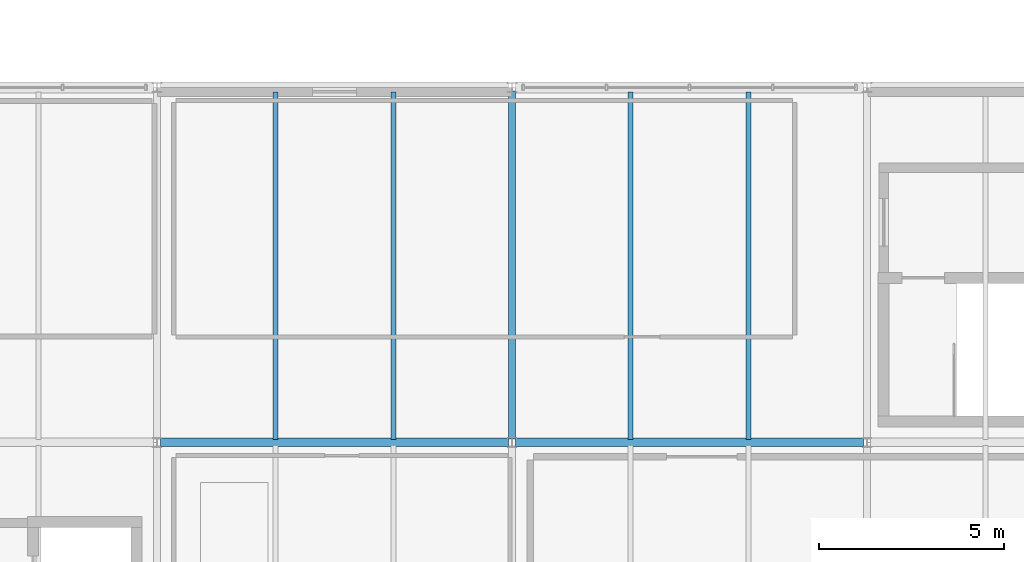
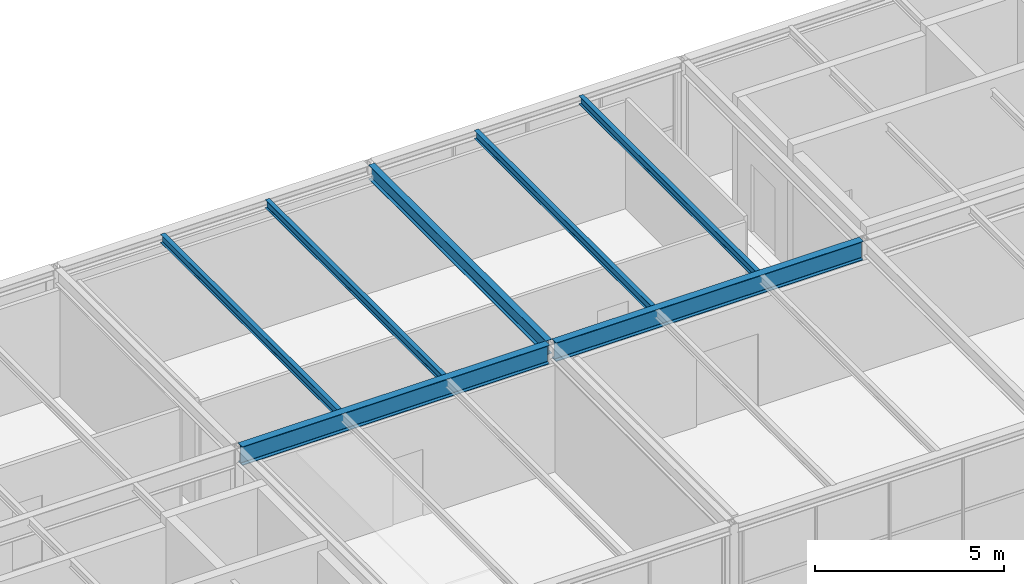
# One storey, part 21 of 33: 7 beams.
"""IFC4 building model written with IfcOpenShell, lengths in metres."""

import ifcopenshell
import ifcopenshell.guid

model = None  # the IFC model being written
_history = None  # IfcOwnerHistory: only IFC2X3 demands one
_inside = {}  # id of a spatial element -> (the spatial element, [elements in it])
_under = {}  # id of a project, library or spatial element -> (it, [spatial elements below it])
_declared = {}  # id of a project -> (the project, [libraries it declares])
_typed = {}  # id of a type object -> (the type object, [elements of that type])
_made_of = {}  # id of a material, layer set ... -> (it, [elements and type objects made of it])


def new_model(schema):
    """Start an empty IFC model of exactly this schema.

    Asked for "IFC4X3", IfcOpenShell would pick the latest addendum, in which some entities
    have other attributes; the version numbers below select the first issue.
    IFC2X3 requires an IfcOwnerHistory on every rooted entity: one is made here for all.
    """
    global model, _history
    if schema == "IFC4X3":
        model = ifcopenshell.file(schema_version=(4, 3, 0, 0))
    else:
        model = ifcopenshell.file(schema=schema)
    _inside.clear()
    _under.clear()
    _declared.clear()
    _typed.clear()
    _made_of.clear()
    _history = None
    if model.schema == "IFC2X3":
        org = make("IfcOrganization", Name="unknown")
        user = make(
            "IfcPersonAndOrganization",
            ThePerson=make("IfcPerson", FamilyName="unknown"),
            TheOrganization=org,
        )
        app = make(
            "IfcApplication",
            ApplicationDeveloper=org,
            Version="unknown",
            ApplicationFullName="unknown",
            ApplicationIdentifier="unknown",
        )
        _history = make(
            "IfcOwnerHistory",
            OwningUser=user,
            OwningApplication=app,
            ChangeAction="ADDED",
            CreationDate=0,
        )
    return model


def make(cls, **values):
    """One entity of the class cls with the attributes given. An attribute that is None is left unset."""
    return model.create_entity(
        cls, **{name: value for name, value in values.items() if value is not None}
    )


def rooted(cls, **values):
    """An entity with a GlobalId (a new one), such as an element, a storey or a relation."""
    return make(cls, GlobalId=ifcopenshell.guid.new(), OwnerHistory=_history, **values)


def si_unit(unit_type, name, prefix=None):
    """IfcSIUnit, for example si_unit("LENGTHUNIT", "METRE", prefix="MILLI")."""
    return make("IfcSIUnit", UnitType=unit_type, Prefix=prefix, Name=name)


def assignment(units):
    """IfcUnitAssignment: the units of a project."""
    return None if units is None else make("IfcUnitAssignment", Units=units)


def point(xyz):
    """IfcCartesianPoint."""
    return None if xyz is None else make("IfcCartesianPoint", Coordinates=xyz)


def direction(xyz):
    """IfcDirection."""
    return None if xyz is None else make("IfcDirection", DirectionRatios=xyz)


def frame(location, z_axis=None, x_axis=None):
    """IfcAxis2Placement3D, a coordinate frame: its origin and axes. An axis left out is left unset."""
    return make(
        "IfcAxis2Placement3D",
        Location=point(location),
        Axis=direction(z_axis),
        RefDirection=direction(x_axis),
    )


def frame_2d(location, x_axis=None):
    """IfcAxis2Placement2D, a coordinate frame in the plane: its origin and x axis."""
    return make(
        "IfcAxis2Placement2D", Location=point(location), RefDirection=direction(x_axis)
    )


def origin():
    """The frame at (0, 0, 0) with its axes left unset."""
    return frame((0.0, 0.0, 0.0))


def origin_2d():
    """The frame at (0, 0) in the plane with its x axis left unset."""
    return frame_2d((0.0, 0.0))


def place(relative_to, where):
    """IfcLocalPlacement: puts the frame where relative to a parent placement (None: the world)."""
    return make(
        "IfcLocalPlacement", PlacementRelTo=relative_to, RelativePlacement=where
    )


def context(
    kind, dimensions, precision=None, world=None, true_north=None, identifier=None
):
    """IfcGeometricRepresentationContext, for example the 3D "Model" context."""
    return make(
        "IfcGeometricRepresentationContext",
        ContextIdentifier=identifier,
        ContextType=kind,
        CoordinateSpaceDimension=dimensions,
        Precision=precision,
        WorldCoordinateSystem=world,
        TrueNorth=true_north,
    )


def subcontext(parent, identifier, kind, view, scale=None):
    """IfcGeometricRepresentationSubContext, for example "Body" below "Model"."""
    return make(
        "IfcGeometricRepresentationSubContext",
        ContextIdentifier=identifier,
        ContextType=kind,
        ParentContext=parent,
        TargetScale=scale,
        TargetView=view,
    )


def project(units=None, contexts=None):
    """IfcProject with its units and contexts."""
    return rooted(
        "IfcProject",
        Name="project",
        RepresentationContexts=contexts,
        UnitsInContext=assignment(units),
    )


def spatial(cls, under=None, at=None, **own):
    """A site, building, storey or space (cls), placed at a placement, below another one or the project."""
    s = rooted(cls, ObjectPlacement=at, **own)
    if under is not None:
        _under.setdefault(under.id(), (under, []))[1].append(s)
    return s


def profile(cls, at=None, kind="AREA", **sizes):
    """A parametric profile (cls). Its sizes go by their IFC names, for example OverallWidth=200.0."""
    return make(cls, ProfileType=kind, Position=at, **sizes)


def i_section(**sizes):
    """IfcIShapeProfileDef."""
    return profile("IfcIShapeProfileDef", **sizes)


def extrude(swept, where, along, depth):
    """IfcExtrudedAreaSolid: the profile swept, set in the frame where, extruded along a direction by depth."""
    return make(
        "IfcExtrudedAreaSolid",
        SweptArea=swept,
        Position=where,
        ExtrudedDirection=direction(along),
        Depth=depth,
    )


def shape(context_of_items, identifier, shape_type, items):
    """IfcShapeRepresentation: the items that make up one representation, for example the "Body"."""
    return make(
        "IfcShapeRepresentation",
        ContextOfItems=context_of_items,
        RepresentationIdentifier=identifier,
        RepresentationType=shape_type,
        Items=items,
    )


def material(Name=None, Category=None):
    """IfcMaterial."""
    return make("IfcMaterial", Name=Name, Category=Category)


def material_profile(
    of_material, cross_section, Name=None, Category=None, Priority=None
):
    """IfcMaterialProfile: a cross section and its material."""
    return make(
        "IfcMaterialProfile",
        Name=Name,
        Material=of_material,
        Profile=cross_section,
        Priority=Priority,
        Category=Category,
    )


def profile_set(profiles, Name=None, composite=None):
    """IfcMaterialProfileSet."""
    return make(
        "IfcMaterialProfileSet",
        Name=Name,
        MaterialProfiles=profiles,
        CompositeProfile=composite,
    )


def made_of(thing, what):
    """Note that an element or type object is made of a material, layer set ...; save() writes the relation."""
    if what is not None:
        _made_of.setdefault(what.id(), (what, []))[1].append(thing)
    return thing


def type_object(cls, material=None, **own):
    """A type object (cls), such as IfcWallType, which elements share."""
    return made_of(rooted(cls, **own), material)


def element(
    cls,
    number,
    at=None,
    inside=None,
    cuts=None,
    type_object=None,
    material=None,
    context=None,
    identifier="Body",
    shape_type=None,
    held_by="IfcProductDefinitionShape",
    body=None,
    shapes=None,
    **own,
):
    """One element of the class cls, such as IfcWall. Its Tag is "e" and its number.

    at: its placement. inside: the storey or other place that contains it. cuts: it is an
    opening in that element (IfcRelVoidsElement). A single representation is given by context,
    identifier, shape_type and body (its items); several are given by shapes. held_by: the class
    of the entity that holds the representations. save() writes the other relations.
    """
    e = rooted(cls, Tag="e%d" % number, ObjectPlacement=at, **own)
    if body is not None:
        shapes = [shape(context, identifier, shape_type, body)]
    if shapes is not None:
        e.Representation = make(held_by, Representations=shapes)
    if inside is not None:
        _inside.setdefault(inside.id(), (inside, []))[1].append(e)
    if cuts is not None:
        rooted(
            "IfcRelVoidsElement", RelatingBuildingElement=cuts, RelatedOpeningElement=e
        )
    if type_object is not None:
        _typed.setdefault(type_object.id(), (type_object, []))[1].append(e)
    return made_of(e, material)


def aggregate(whole, parts):
    """IfcRelAggregates: a whole, such as a stair, and the parts it consists of."""
    return rooted("IfcRelAggregates", RelatingObject=whole, RelatedObjects=parts)


def save(model, path):
    """Write the relations noted so far, then the file.

    IfcRelAggregates (storeys below a building ...), IfcRelContainedInSpatialStructure (elements
    in a storey), IfcRelDefinesByType, IfcRelAssociatesMaterial and IfcRelDeclares: one each for
    every whole, place, type object, material and project.
    """
    for whole, parts in _under.values():
        aggregate(whole, parts)
    for where, things in _inside.values():
        rooted(
            "IfcRelContainedInSpatialStructure",
            RelatedElements=things,
            RelatingStructure=where,
        )
    for kind, things in _typed.values():
        rooted("IfcRelDefinesByType", RelatedObjects=things, RelatingType=kind)
    for what, things in _made_of.values():
        rooted("IfcRelAssociatesMaterial", RelatedObjects=things, RelatingMaterial=what)
    for by, libraries in _declared.values():
        rooted("IfcRelDeclares", RelatingContext=by, RelatedDefinitions=libraries)
    model.write(path)


model = new_model("IFC4")

# Units and contexts
model_context = context("Model", 3, precision=1e-05, world=origin(), true_north=direction((0.0, 1.0)))
body_context = subcontext(model_context, "Body", "Model", "MODEL_VIEW")
ifc_project = project(units=[si_unit("LENGTHUNIT", "METRE"), si_unit("AREAUNIT", "SQUARE_METRE"), si_unit("VOLUMEUNIT", "CUBIC_METRE"), si_unit("PLANEANGLEUNIT", "RADIAN"), si_unit("MASSUNIT", "GRAM", prefix="KILO")], contexts=[model_context])

# Site, building, storey
site_placement = place(None, origin())
site = spatial("IfcSite", under=ifc_project, at=site_placement, CompositionType="ELEMENT")
building_placement = place(site_placement, origin())
building = spatial("IfcBuilding", under=site, at=building_placement, Name="Coralgate Yard Interchange", CompositionType="ELEMENT")
storey_placement = place(building_placement, frame((0.0, 0.0, 23.10009765625)))
storey = spatial("IfcBuildingStorey", under=building, at=storey_placement, Name="L05", CompositionType="ELEMENT", Elevation=23.10009765625)

# Beams
ifc_material = material(Name="Structural steel S355J2", Category="steel")
ifc_material_profile_1 = material_profile(ifc_material, i_section(OverallWidth=0.1904296875, OverallDepth=0.45703125, WebThickness=0.009033203125, FlangeThickness=0.014404296875, FilletRadius=0.01025390625, at=origin_2d()), Name="UB 457x191x74")
ifc_profile_set_1 = profile_set([ifc_material_profile_1], Name="Structural steel S355J2")
beam_type_1 = type_object("IfcBeamType", Name="BM-SB-2", PredefinedType="BEAM", material=ifc_profile_set_1)
beam_placement = place(storey_placement, frame((38.39990234375, 9.7001953125, 3.69140625), z_axis=(0.0, 1.0, 0.0), x_axis=(-1.0, 0.0, 0.0)))
element("IfcBeam", 1, at=beam_placement, inside=storey, type_object=beam_type_1, Name="L05 primary grid girder X4 Y1-2", PredefinedType="BEAM", context=body_context, shape_type="SweptSolid", body=[
    extrude(i_section(OverallWidth=0.1904296875, OverallDepth=0.45703125, WebThickness=0.009033203125, FlangeThickness=0.014404296875, FilletRadius=0.01025390625, at=origin_2d()), origin(), (0.0, 0.0, 1.0), 9.399658203125),
])
ifc_material_profile_2 = material_profile(ifc_material, i_section(OverallWidth=0.228271484375, OverallDepth=0.607666015625, WebThickness=0.010986328125, FlangeThickness=0.017333984375, FilletRadius=0.0126953125, at=origin_2d()), Name="UB 610x229x113")
ifc_profile_set_2 = profile_set([ifc_material_profile_2], Name="Structural steel S355J2")
beam_type_2 = type_object("IfcBeamType", Name="BM-SG-5", PredefinedType="BEAM", material=ifc_profile_set_2)
for number, where, z_axis, x_axis, name in (
    (2, (28.898193359375, 9.60009765625, 3.6162109375), (1.0, 0.0, 0.0), (0.0, 1.0, 0.0), "L05 primary grid beam Y1 X3-4"),
    (3, (38.498046875, 9.60009765625, 3.6162109375), (1.0, 0.0, 0.0), (0.0, 1.0, 0.0), "L05 primary grid beam Y1 X4-5"),
):
    element("IfcBeam", number, at=place(storey_placement, frame(where, z_axis=z_axis, x_axis=x_axis)), inside=storey, type_object=beam_type_2, Name=name, PredefinedType="BEAM", context=body_context, shape_type="SweptSolid", body=[
        extrude(i_section(OverallWidth=0.228271484375, OverallDepth=0.607666015625, WebThickness=0.010986328125, FlangeThickness=0.017333984375, FilletRadius=0.0126953125, at=origin_2d()), origin(), (0.0, 0.0, 1.0), 9.40380859375),
    ])
ifc_material_profile_3 = material_profile(ifc_material, i_section(OverallWidth=0.135009765625, OverallDepth=0.27001953125, WebThickness=0.006591796875, FlangeThickness=0.01025390625, FilletRadius=0.014892578125, at=origin_2d()), Name="IPE 270")
ifc_profile_set_3 = profile_set([ifc_material_profile_3], Name="Structural steel S355J2")
beam_type_3 = type_object("IfcBeamType", Name="BM-SJ-3", PredefinedType="JOIST", material=ifc_profile_set_3)
for number, where, z_axis, x_axis, name in (
    (4, (32.0, 9.68408203125, 3.784912109375), (0.0, 1.0, 0.0), (-1.0, 0.0, 0.0), "L05 composite floor joist 3-1-1"),
    (5, (35.199951171875, 9.68408203125, 3.784912109375), (0.0, 1.0, 0.0), (-1.0, 0.0, 0.0), "L05 composite floor joist 3-1-2"),
    (6, (41.60009765625, 9.68408203125, 3.784912109375), (0.0, 1.0, 0.0), (-1.0, 0.0, 0.0), "L05 composite floor joist 4-1-1"),
    (7, (44.800048828125, 9.68408203125, 3.784912109375), (0.0, 1.0, 0.0), (-1.0, 0.0, 0.0), "L05 composite floor joist 4-1-2"),
):
    element("IfcBeam", number, at=place(storey_placement, frame(where, z_axis=z_axis, x_axis=x_axis)), inside=storey, type_object=beam_type_3, Name=name, PredefinedType="JOIST", context=body_context, shape_type="SweptSolid", body=[
        extrude(i_section(OverallWidth=0.135009765625, OverallDepth=0.27001953125, WebThickness=0.006591796875, FlangeThickness=0.01025390625, FilletRadius=0.014892578125, at=origin_2d()), origin(), (0.0, 0.0, 1.0), 9.39599609375),
    ])

save(model, "model.ifc")
